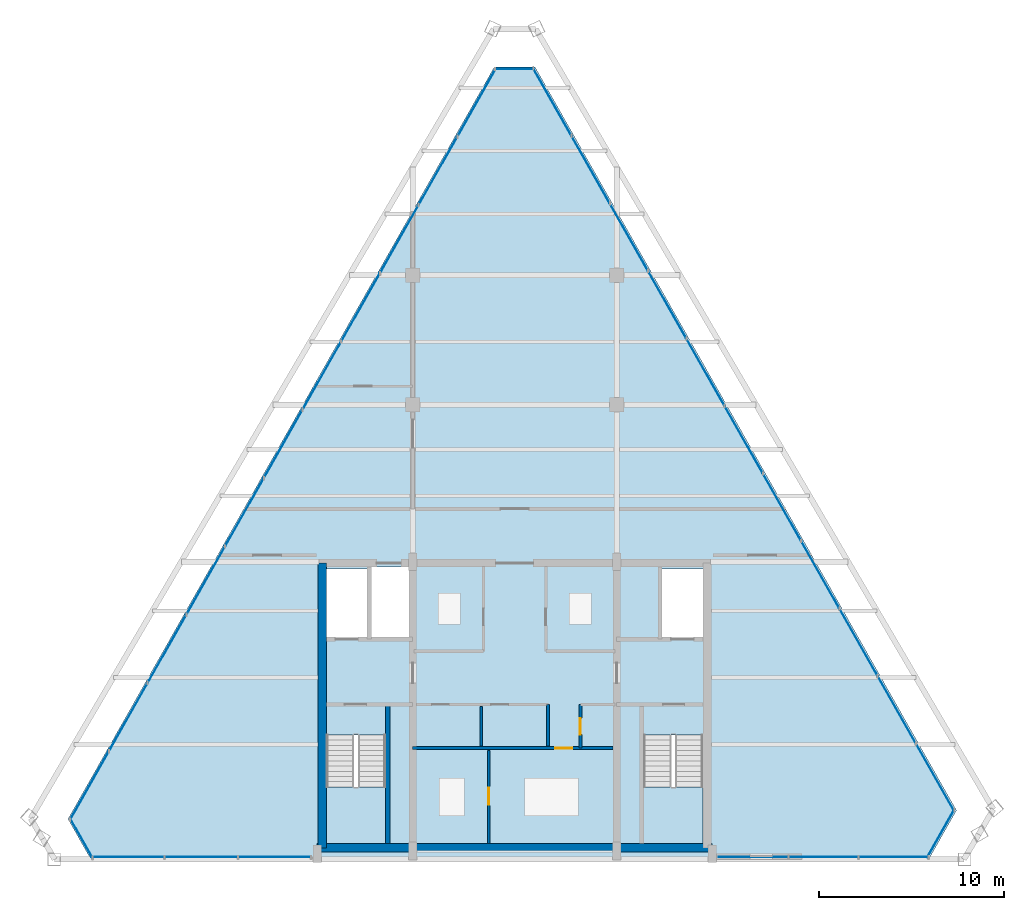
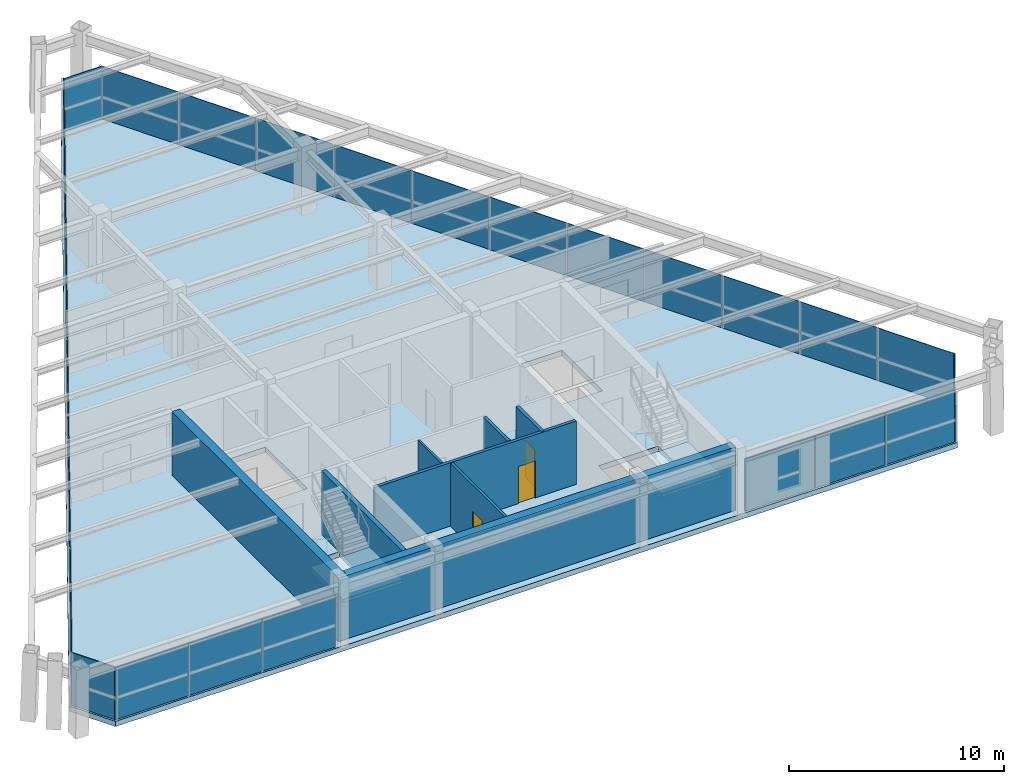
# One storey, part 9 of 12: 31 plates, 8 walls, 3 doors, 3 slabs, 3 openings, 9 elements without a shape of their own.
"""IFC4 building model written with IfcOpenShell, lengths in metres."""

from ifc_helpers import new_model, si_unit, direction, frame, frame_2d, origin, origin_2d, place, context, subcontext, project, spatial, polyline, rectangle, outline, extrude, source, transform, mapped, material, layer, layer_set, type_object, type_shapes, element, fill, aggregate, save


model = new_model("IFC4")

# Units and contexts
model_context = context("Model", 3, precision=1e-05, world=origin(), true_north=direction((0.0, 1.0)))
body_context = subcontext(model_context, "Body", "Model", "MODEL_VIEW")
ifc_project = project(units=[si_unit("LENGTHUNIT", "METRE"), si_unit("AREAUNIT", "SQUARE_METRE"), si_unit("VOLUMEUNIT", "CUBIC_METRE"), si_unit("PLANEANGLEUNIT", "RADIAN"), si_unit("MASSUNIT", "GRAM", prefix="KILO")], contexts=[model_context])

# Site, building, storey
site_placement = place(None, origin())
site = spatial("IfcSite", under=ifc_project, at=site_placement, CompositionType="ELEMENT")
building_placement = place(site_placement, origin())
building = spatial("IfcBuilding", under=site, at=building_placement, Name="Varnakhor Terracotta Tower", CompositionType="ELEMENT")
storey_placement = place(building_placement, frame((0.0, 0.0, 313.60009765625)))
storey = spatial("IfcBuildingStorey", under=building, at=storey_placement, Name="L82 Crown", CompositionType="ELEMENT", Elevation=313.60009765625)

# Stair, slab
ifc_material_1 = material(Name="Concrete C40/50", Category="concrete")
stair_type = type_object("IfcStairType", Name="STR-CORE-HOTEL-1500", PredefinedType="HALF_TURN_STAIR", material=ifc_material_1)
stair_1_placement = place(storey_placement, origin())
stair_1 = element("IfcStair", 1, at=stair_1_placement, inside=storey, type_object=stair_type, Name="L82 Crown Core Exit Stair ST-1", PredefinedType="HALF_TURN_STAIR")
ifc_layer_1 = layer(ifc_material_1, 0.179931640625, Name="Concrete C40/50")
ifc_layer_set_1 = layer_set([ifc_layer_1], Name="Concrete C40/50")
slab_type_1 = type_object("IfcSlabType", Name="SLB-LANDING-180", PredefinedType="LANDING", material=ifc_layer_set_1)
slab_1_placement = place(storey_placement, frame((0.0, 0.0, 1.75)))
slab_1 = element("IfcSlab", 2, at=slab_1_placement, type_object=slab_type_1, Name="ST-1 landing 1", PredefinedType="LANDING", context=body_context, shape_type="SweptSolid", body=[
    extrude(outline(polyline([(-10.14990234375, 3.909912109375), (-10.14990234375, 0.85009765625), (-6.949951171875, 0.85009765625), (-6.949951171875, 3.909912109375), (-10.14990234375, 3.909912109375)])), origin(), (0.0, 0.0, 1.0), 0.199951171875),
])
aggregate(stair_1, [slab_1])

stair_2_placement = place(storey_placement, origin())
stair_2 = element("IfcStair", 3, at=stair_2_placement, inside=storey, type_object=stair_type, Name="L82 Crown Core Exit Stair ST-2", PredefinedType="HALF_TURN_STAIR")
slab_2_placement = place(storey_placement, frame((0.0, 0.0, 1.75)))
slab_2 = element("IfcSlab", 4, at=slab_2_placement, type_object=slab_type_1, Name="ST-2 landing 1", PredefinedType="LANDING", context=body_context, shape_type="SweptSolid", body=[
    extrude(outline(polyline([(6.949951171875, 3.909912109375), (6.949951171875, 0.85009765625), (10.14990234375, 0.85009765625), (10.14990234375, 3.909912109375), (6.949951171875, 3.909912109375)])), origin(), (0.0, 0.0, 1.0), 0.199951171875),
])
aggregate(stair_2, [slab_2])

# Slab
ifc_layer_2 = layer(ifc_material_1, 0.300048828125, Name="Concrete C40/50")
ifc_layer_set_2 = layer_set([ifc_layer_2], Name="Concrete C40/50")
slab_type_2 = type_object("IfcSlabType", Name="SLB-PLANT-300", PredefinedType="FLOOR", material=ifc_layer_set_2)
slab_3_placement = place(storey_placement, frame((0.0, 0.0, -0.300048828125)))
element("IfcSlab", 5, at=slab_3_placement, inside=storey, type_object=slab_type_2, Name="L82 Crown Structural Floor Slab", PredefinedType="FLOOR", context=body_context, shape_type="SweptSolid", body=[
    extrude(outline(polyline([(-1.091552734375, 42.73046875), (1.091552734375, 42.73046875), (23.818115234375, 2.640625), (22.321044921875, 0.0), (-22.847900390625, 0.0), (-24.08154296875, 2.176025390625), (-1.091552734375, 42.73046875)]), holes=[polyline([(-6.949951171875, 6.695068359375), (-10.14990234375, 6.695068359375), (-10.14990234375, 0.85009765625), (-6.949951171875, 0.85009765625), (-6.949951171875, 6.695068359375)]), polyline([(10.14990234375, 6.695068359375), (6.949951171875, 6.695068359375), (6.949951171875, 0.85009765625), (10.14990234375, 0.85009765625), (10.14990234375, 6.695068359375)]), polyline([(-7.949951171875, 15.64990234375), (-10.14990234375, 15.64990234375), (-10.14990234375, 11.8798828125), (-7.949951171875, 11.8798828125), (-7.949951171875, 15.64990234375)]), polyline([(10.14990234375, 11.8798828125), (10.14990234375, 15.64990234375), (7.949951171875, 15.64990234375), (7.949951171875, 11.8798828125), (10.14990234375, 11.8798828125)]), polyline([(-5.699951171875, 11.8798828125), (-5.699951171875, 15.75), (-7.72998046875, 15.75), (-7.72998046875, 11.8798828125), (-5.699951171875, 11.8798828125)])]), origin(), (0.0, 0.0, 1.0), 0.300048828125),
])

# Curtain wall, plates
ifc_material_2 = material(Name="Anodised Aluminium Curtain Wall System", Category="aluminium")
curtain_wall_type = type_object("IfcCurtainWallType", Name="CW-SYS-CROWN", PredefinedType="NOTDEFINED", material=ifc_material_2)
curtain_wall_1_placement = place(storey_placement, origin())
curtain_wall_1 = element("IfcCurtainWall", 6, at=curtain_wall_1_placement, inside=storey, type_object=curtain_wall_type, Name="L82 Crown Facet Curtain Wall 1", PredefinedType="NOTDEFINED")
ifc_material_3 = material(Name="Solar-Control Low-E Insulated Glass Panel", Category="glass")
ifc_layer_3 = layer(ifc_material_3, 0.0400390625, Name="Solar-Control Low-E Insulated Glass Panel")
ifc_layer_set_3 = layer_set([ifc_layer_3], Name="Solar-Control Low-E Insulated Glass Panel")
plate_type = type_object("IfcPlateType", Name="CWP-06", PredefinedType="CURTAIN_PANEL", material=ifc_layer_set_3)
shared_shape_1 = source(origin(), body_context, "Body", "SweptSolid", [
    extrude(rectangle(XDim=4.1923828125, YDim=0.035888671875, at=origin_2d()), origin(), (0.0, 0.0, 1.0), 2.97998046875),
])
plate_1_placement = place(storey_placement, frame((-22.918701171875, 3.98388671875, 0.0), z_axis=(0.0, 0.0, 1.0), x_axis=(0.4931525347, 0.869942858767, 0.0)))
plate_1 = element("IfcPlate", 7, at=plate_1_placement, type_object=plate_type, Name="L82 Crown Facet Curtain Wall 1 Glazed Panel 1", PredefinedType="CURTAIN_PANEL", context=body_context, shape_type="MappedRepresentation", body=[
    mapped(shared_shape_1, transform((0.0, 0.0, 0.0), scale=1.0)),
])
plate_2_placement = place(storey_placement, frame((-18.744140625, 11.347900390625, 0.0), z_axis=(0.0, 0.0, 1.0), x_axis=(0.4931525347, 0.869942858767, 0.0)))
plate_2 = element("IfcPlate", 8, at=plate_2_placement, type_object=plate_type, Name="L82 Crown Facet Curtain Wall 1 Glazed Panel 3", PredefinedType="CURTAIN_PANEL", context=body_context, shape_type="MappedRepresentation", body=[
    mapped(shared_shape_1, transform((0.0, 0.0, 0.0), scale=1.0)),
])
plate_3_placement = place(storey_placement, frame((-16.65673828125, 15.030029296875, 0.0), z_axis=(0.0, 0.0, 1.0), x_axis=(0.4931525347, 0.869942858767, 0.0)))
plate_3 = element("IfcPlate", 9, at=plate_3_placement, type_object=plate_type, Name="L82 Crown Facet Curtain Wall 1 Glazed Panel 4", PredefinedType="CURTAIN_PANEL", context=body_context, shape_type="MappedRepresentation", body=[
    mapped(shared_shape_1, transform((0.0, 0.0, 0.0), scale=1.0)),
])
plate_4_placement = place(storey_placement, frame((-14.5693359375, 18.7119140625, 0.0), z_axis=(0.0, 0.0, 1.0), x_axis=(0.4931525347, 0.869942858767, 0.0)))
plate_4 = element("IfcPlate", 10, at=plate_4_placement, type_object=plate_type, Name="L82 Crown Facet Curtain Wall 1 Glazed Panel 5", PredefinedType="CURTAIN_PANEL", context=body_context, shape_type="MappedRepresentation", body=[
    mapped(shared_shape_1, transform((0.0, 0.0, 0.0), scale=1.0)),
])
plate_5_placement = place(storey_placement, frame((-12.482177734375, 22.39404296875, 0.0), z_axis=(0.0, 0.0, 1.0), x_axis=(0.4931525347, 0.869942858767, 0.0)))
plate_5 = element("IfcPlate", 11, at=plate_5_placement, type_object=plate_type, Name="L82 Crown Facet Curtain Wall 1 Glazed Panel 6", PredefinedType="CURTAIN_PANEL", context=body_context, shape_type="MappedRepresentation", body=[
    mapped(shared_shape_1, transform((0.0, 0.0, 0.0), scale=1.0)),
])
plate_6_placement = place(storey_placement, frame((-10.394775390625, 26.075927734375, 0.0), z_axis=(0.0, 0.0, 1.0), x_axis=(0.4931525347, 0.869942858767, 0.0)))
plate_6 = element("IfcPlate", 12, at=plate_6_placement, type_object=plate_type, Name="L82 Crown Facet Curtain Wall 1 Glazed Panel 7", PredefinedType="CURTAIN_PANEL", context=body_context, shape_type="MappedRepresentation", body=[
    mapped(shared_shape_1, transform((0.0, 0.0, 0.0), scale=1.0)),
])
plate_7_placement = place(storey_placement, frame((-6.22021484375, 33.440185546875, 0.0), z_axis=(0.0, 0.0, 1.0), x_axis=(0.4931525347, 0.869942858767, 0.0)))
plate_7 = element("IfcPlate", 13, at=plate_7_placement, type_object=plate_type, Name="L82 Crown Facet Curtain Wall 1 Glazed Panel 9", PredefinedType="CURTAIN_PANEL", context=body_context, shape_type="MappedRepresentation", body=[
    mapped(shared_shape_1, transform((0.0, 0.0, 0.0), scale=1.0)),
])
plate_8_placement = place(storey_placement, frame((-4.133056640625, 37.1220703125, 0.0), z_axis=(0.0, 0.0, 1.0), x_axis=(0.4931525347, 0.869942858767, 0.0)))
plate_8 = element("IfcPlate", 14, at=plate_8_placement, type_object=plate_type, Name="L82 Crown Facet Curtain Wall 1 Glazed Panel 10", PredefinedType="CURTAIN_PANEL", context=body_context, shape_type="MappedRepresentation", body=[
    mapped(shared_shape_1, transform((0.0, 0.0, 0.0), scale=1.0)),
])
plate_9_placement = place(storey_placement, frame((-2.045654296875, 40.80419921875, 0.0), z_axis=(0.0, 0.0, 1.0), x_axis=(0.4931525347, 0.869942858767, 0.0)))
plate_9 = element("IfcPlate", 15, at=plate_9_placement, type_object=plate_type, Name="L82 Crown Facet Curtain Wall 1 Glazed Panel 11", PredefinedType="CURTAIN_PANEL", context=body_context, shape_type="MappedRepresentation", body=[
    mapped(shared_shape_1, transform((0.0, 0.0, 0.0), scale=1.0)),
])
shared_shape_2 = source(origin(), body_context, "Body", "SweptSolid", [
    extrude(rectangle(XDim=4.192626953125, YDim=0.035888671875, at=origin_2d()), origin(), (0.0, 0.0, 1.0), 2.97998046875),
])
plate_10_placement = place(storey_placement, frame((-20.831298828125, 7.666015625, 0.0), z_axis=(0.0, 0.0, 1.0), x_axis=(0.4931525347, 0.869942858767, 0.0)))
plate_10 = element("IfcPlate", 16, at=plate_10_placement, type_object=plate_type, Name="L82 Crown Facet Curtain Wall 1 Glazed Panel 2", PredefinedType="CURTAIN_PANEL", context=body_context, shape_type="MappedRepresentation", body=[
    mapped(shared_shape_2, transform((0.0, 0.0, 0.0), scale=1.0)),
])
plate_11_placement = place(storey_placement, frame((-8.3076171875, 29.758056640625, 0.0), z_axis=(0.0, 0.0, 1.0), x_axis=(0.4931525347, 0.869942858767, 0.0)))
plate_11 = element("IfcPlate", 17, at=plate_11_placement, type_object=plate_type, Name="L82 Crown Facet Curtain Wall 1 Glazed Panel 8", PredefinedType="CURTAIN_PANEL", context=body_context, shape_type="MappedRepresentation", body=[
    mapped(shared_shape_2, transform((0.0, 0.0, 0.0), scale=1.0)),
])
aggregate(curtain_wall_1, [plate_1, plate_10, plate_2, plate_3, plate_4, plate_5, plate_6, plate_11, plate_7, plate_8, plate_9])

# Curtain wall, plate
curtain_wall_2_placement = place(storey_placement, origin())
curtain_wall_2 = element("IfcCurtainWall", 18, at=curtain_wall_2_placement, inside=storey, type_object=curtain_wall_type, Name="L82 Crown Facet Curtain Wall 2", PredefinedType="NOTDEFINED")
shared_shape_3 = source(origin(), body_context, "Body", "SweptSolid", [
    extrude(rectangle(XDim=2.083251953125, YDim=0.035888671875, at=origin_2d()), origin(), (0.0, 0.0, 1.0), 2.97998046875),
])
plate_12_placement = place(storey_placement, frame((0.0, 42.6103515625, 0.0), z_axis=(0.0, 0.0, 1.0), x_axis=(1.0, 0.0, 0.0)))
plate_12 = element("IfcPlate", 19, at=plate_12_placement, type_object=plate_type, Name="L82 Crown Facet Curtain Wall 2 Glazed Panel 1", PredefinedType="CURTAIN_PANEL", context=body_context, shape_type="MappedRepresentation", body=[
    mapped(shared_shape_3, transform((0.0, 0.0, 0.0), scale=1.0)),
])
aggregate(curtain_wall_2, [plate_12])

# Curtain wall, plates
curtain_wall_3_placement = place(storey_placement, origin())
curtain_wall_3 = element("IfcCurtainWall", 20, at=curtain_wall_3_placement, inside=storey, type_object=curtain_wall_type, Name="L82 Crown Facet Curtain Wall 3", PredefinedType="NOTDEFINED")
shared_shape_4 = source(origin(), body_context, "Body", "SweptSolid", [
    extrude(rectangle(XDim=4.14404296875, YDim=0.035888671875, at=origin_2d()), origin(), (0.0, 0.0, 1.0), 2.97998046875),
])
plate_13_placement = place(storey_placement, frame((2.03369140625, 40.8251953125, 0.0), z_axis=(0.0, 0.0, 1.0), x_axis=(0.493167717992, -0.869934251499, 0.0)))
plate_13 = element("IfcPlate", 21, at=plate_13_placement, type_object=plate_type, Name="L82 Crown Facet Curtain Wall 3 Glazed Panel 1", PredefinedType="CURTAIN_PANEL", context=body_context, shape_type="MappedRepresentation", body=[
    mapped(shared_shape_4, transform((0.0, 0.0, 0.0), scale=1.0)),
])
plate_14_placement = place(storey_placement, frame((6.160400390625, 33.545654296875, 0.0), z_axis=(0.0, 0.0, 1.0), x_axis=(0.493167717992, -0.869934251499, 0.0)))
plate_14 = element("IfcPlate", 22, at=plate_14_placement, type_object=plate_type, Name="L82 Crown Facet Curtain Wall 3 Glazed Panel 3", PredefinedType="CURTAIN_PANEL", context=body_context, shape_type="MappedRepresentation", body=[
    mapped(shared_shape_4, transform((0.0, 0.0, 0.0), scale=1.0)),
])
plate_15_placement = place(storey_placement, frame((14.413818359375, 18.986572265625, 0.0), z_axis=(0.0, 0.0, 1.0), x_axis=(0.493167717992, -0.869934251499, 0.0)))
plate_15 = element("IfcPlate", 23, at=plate_15_placement, type_object=plate_type, Name="L82 Crown Facet Curtain Wall 3 Glazed Panel 7", PredefinedType="CURTAIN_PANEL", context=body_context, shape_type="MappedRepresentation", body=[
    mapped(shared_shape_4, transform((0.0, 0.0, 0.0), scale=1.0)),
])
plate_16_placement = place(storey_placement, frame((20.60400390625, 8.0673828125, 0.0), z_axis=(0.0, 0.0, 1.0), x_axis=(0.493167717992, -0.869934251499, 0.0)))
plate_16 = element("IfcPlate", 24, at=plate_16_placement, type_object=plate_type, Name="L82 Crown Facet Curtain Wall 3 Glazed Panel 10", PredefinedType="CURTAIN_PANEL", context=body_context, shape_type="MappedRepresentation", body=[
    mapped(shared_shape_4, transform((0.0, 0.0, 0.0), scale=1.0)),
])
shared_shape_5 = source(origin(), body_context, "Body", "SweptSolid", [
    extrude(rectangle(XDim=4.143798828125, YDim=0.035888671875, at=origin_2d()), origin(), (0.0, 0.0, 1.0), 2.97998046875),
])
plate_17_placement = place(storey_placement, frame((4.09716796875, 37.185546875, 0.0), z_axis=(0.0, 0.0, 1.0), x_axis=(0.493167717992, -0.869934251499, 0.0)))
plate_17 = element("IfcPlate", 25, at=plate_17_placement, type_object=plate_type, Name="L82 Crown Facet Curtain Wall 3 Glazed Panel 2", PredefinedType="CURTAIN_PANEL", context=body_context, shape_type="MappedRepresentation", body=[
    mapped(shared_shape_5, transform((0.0, 0.0, 0.0), scale=1.0)),
])
plate_18_placement = place(storey_placement, frame((8.2236328125, 29.906005859375, 0.0), z_axis=(0.0, 0.0, 1.0), x_axis=(0.493167717992, -0.869934251499, 0.0)))
plate_18 = element("IfcPlate", 26, at=plate_18_placement, type_object=plate_type, Name="L82 Crown Facet Curtain Wall 3 Glazed Panel 4", PredefinedType="CURTAIN_PANEL", context=body_context, shape_type="MappedRepresentation", body=[
    mapped(shared_shape_5, transform((0.0, 0.0, 0.0), scale=1.0)),
])
plate_19_placement = place(storey_placement, frame((10.287109375, 26.26611328125, 0.0), z_axis=(0.0, 0.0, 1.0), x_axis=(0.493167717992, -0.869934251499, 0.0)))
plate_19 = element("IfcPlate", 27, at=plate_19_placement, type_object=plate_type, Name="L82 Crown Facet Curtain Wall 3 Glazed Panel 5", PredefinedType="CURTAIN_PANEL", context=body_context, shape_type="MappedRepresentation", body=[
    mapped(shared_shape_5, transform((0.0, 0.0, 0.0), scale=1.0)),
])
plate_20_placement = place(storey_placement, frame((12.350341796875, 22.62646484375, 0.0), z_axis=(0.0, 0.0, 1.0), x_axis=(0.493167717992, -0.869934251499, 0.0)))
plate_20 = element("IfcPlate", 28, at=plate_20_placement, type_object=plate_type, Name="L82 Crown Facet Curtain Wall 3 Glazed Panel 6", PredefinedType="CURTAIN_PANEL", context=body_context, shape_type="MappedRepresentation", body=[
    mapped(shared_shape_5, transform((0.0, 0.0, 0.0), scale=1.0)),
])
plate_21_placement = place(storey_placement, frame((16.477294921875, 15.3466796875, 0.0), z_axis=(0.0, 0.0, 1.0), x_axis=(0.493167717992, -0.869934251499, 0.0)))
plate_21 = element("IfcPlate", 29, at=plate_21_placement, type_object=plate_type, Name="L82 Crown Facet Curtain Wall 3 Glazed Panel 8", PredefinedType="CURTAIN_PANEL", context=body_context, shape_type="MappedRepresentation", body=[
    mapped(shared_shape_5, transform((0.0, 0.0, 0.0), scale=1.0)),
])
plate_22_placement = place(storey_placement, frame((18.54052734375, 11.70703125, 0.0), z_axis=(0.0, 0.0, 1.0), x_axis=(0.493167717992, -0.869934251499, 0.0)))
plate_22 = element("IfcPlate", 30, at=plate_22_placement, type_object=plate_type, Name="L82 Crown Facet Curtain Wall 3 Glazed Panel 9", PredefinedType="CURTAIN_PANEL", context=body_context, shape_type="MappedRepresentation", body=[
    mapped(shared_shape_5, transform((0.0, 0.0, 0.0), scale=1.0)),
])
plate_23_placement = place(storey_placement, frame((22.667236328125, 4.427490234375, 0.0), z_axis=(0.0, 0.0, 1.0), x_axis=(0.493167717992, -0.869934251499, 0.0)))
plate_23 = element("IfcPlate", 31, at=plate_23_placement, type_object=plate_type, Name="L82 Crown Facet Curtain Wall 3 Glazed Panel 11", PredefinedType="CURTAIN_PANEL", context=body_context, shape_type="MappedRepresentation", body=[
    mapped(shared_shape_5, transform((0.0, 0.0, 0.0), scale=1.0)),
])
aggregate(curtain_wall_3, [plate_13, plate_17, plate_14, plate_18, plate_19, plate_20, plate_15, plate_21, plate_22, plate_16, plate_23])

# Curtain wall, plate
curtain_wall_4_placement = place(storey_placement, origin())
curtain_wall_4 = element("IfcCurtainWall", 32, at=curtain_wall_4_placement, inside=storey, type_object=curtain_wall_type, Name="L82 Crown Facet Curtain Wall 4", PredefinedType="NOTDEFINED")
shared_shape_6 = source(origin(), body_context, "Body", "SweptSolid", [
    extrude(rectangle(XDim=2.935546875, YDim=0.035888671875, at=origin_2d()), origin(), (0.0, 0.0, 1.0), 2.97998046875),
])
plate_24_placement = place(storey_placement, frame((22.965087890625, 1.379638671875, 0.0), z_axis=(0.0, 0.0, 1.0), x_axis=(-0.493167717992, -0.869934251499, 0.0)))
plate_24 = element("IfcPlate", 33, at=plate_24_placement, type_object=plate_type, Name="L82 Crown Facet Curtain Wall 4 Glazed Panel 1", PredefinedType="CURTAIN_PANEL", context=body_context, shape_type="MappedRepresentation", body=[
    mapped(shared_shape_6, transform((0.0, 0.0, 0.0), scale=1.0)),
])
aggregate(curtain_wall_4, [plate_24])

# Curtain wall, plates
curtain_wall_5_placement = place(storey_placement, origin())
curtain_wall_5 = element("IfcCurtainWall", 34, at=curtain_wall_5_placement, inside=storey, type_object=curtain_wall_type, Name="L82 Crown South Wing Curtain Wall SSE", PredefinedType="NOTDEFINED")
shared_shape_7 = source(origin(), body_context, "Body", "SweptSolid", [
    extrude(rectangle(XDim=3.740478515625, YDim=0.035888671875, at=origin_2d()), origin(), (0.0, 0.0, 1.0), 2.97998046875),
])
plate_25_placement = place(storey_placement, frame((20.4208984375, 0.1201171875, 0.0), z_axis=(0.0, 0.0, 1.0), x_axis=(-1.0, 0.0, 0.0)))
plate_25 = element("IfcPlate", 35, at=plate_25_placement, type_object=plate_type, Name="L82 Crown South Wing Curtain Wall SSE Glazed Panel 1", PredefinedType="CURTAIN_PANEL", context=body_context, shape_type="MappedRepresentation", body=[
    mapped(shared_shape_7, transform((0.0, 0.0, 0.0), scale=1.0)),
])
plate_26_placement = place(storey_placement, frame((12.860107421875, 0.1201171875, 0.0), z_axis=(0.0, 0.0, 1.0), x_axis=(-1.0, 0.0, 0.0)))
plate_26 = element("IfcPlate", 36, at=plate_26_placement, type_object=plate_type, Name="L82 Crown South Wing Curtain Wall SSE Glazed Panel 3", PredefinedType="CURTAIN_PANEL", context=body_context, shape_type="MappedRepresentation", body=[
    mapped(shared_shape_7, transform((0.0, 0.0, 0.0), scale=1.0)),
])
shared_shape_8 = source(origin(), body_context, "Body", "SweptSolid", [
    extrude(rectangle(XDim=3.740234375, YDim=0.035888671875, at=origin_2d()), origin(), (0.0, 0.0, 1.0), 2.97998046875),
])
plate_27_placement = place(storey_placement, frame((16.640625, 0.1201171875, 0.0), z_axis=(0.0, 0.0, 1.0), x_axis=(-1.0, 0.0, 0.0)))
plate_27 = element("IfcPlate", 37, at=plate_27_placement, type_object=plate_type, Name="L82 Crown South Wing Curtain Wall SSE Glazed Panel 2", PredefinedType="CURTAIN_PANEL", context=body_context, shape_type="MappedRepresentation", body=[
    mapped(shared_shape_8, transform((0.0, 0.0, 0.0), scale=1.0)),
])
aggregate(curtain_wall_5, [plate_25, plate_27, plate_26])

curtain_wall_6_placement = place(storey_placement, origin())
curtain_wall_6 = element("IfcCurtainWall", 38, at=curtain_wall_6_placement, inside=storey, type_object=curtain_wall_type, Name="L82 Crown South Wing Curtain Wall SSW", PredefinedType="NOTDEFINED")
shared_shape_9 = source(origin(), body_context, "Body", "SweptSolid", [
    extrude(rectangle(XDim=3.916015625, YDim=0.035888671875, at=origin_2d()), origin(), (0.0, 0.0, 1.0), 2.97998046875),
])
plate_28_placement = place(storey_placement, frame((-12.947998046875, 0.1201171875, 0.0), z_axis=(0.0, 0.0, 1.0), x_axis=(-1.0, 0.0, 0.0)))
plate_28 = element("IfcPlate", 39, at=plate_28_placement, type_object=plate_type, Name="L82 Crown South Wing Curtain Wall SSW Glazed Panel 1", PredefinedType="CURTAIN_PANEL", context=body_context, shape_type="MappedRepresentation", body=[
    mapped(shared_shape_9, transform((0.0, 0.0, 0.0), scale=1.0)),
])
plate_29_placement = place(storey_placement, frame((-16.904052734375, 0.1201171875, 0.0), z_axis=(0.0, 0.0, 1.0), x_axis=(-1.0, 0.0, 0.0)))
plate_29 = element("IfcPlate", 40, at=plate_29_placement, type_object=plate_type, Name="L82 Crown South Wing Curtain Wall SSW Glazed Panel 2", PredefinedType="CURTAIN_PANEL", context=body_context, shape_type="MappedRepresentation", body=[
    mapped(shared_shape_9, transform((0.0, 0.0, 0.0), scale=1.0)),
])
plate_30_placement = place(storey_placement, frame((-20.85986328125, 0.1201171875, 0.0), z_axis=(0.0, 0.0, 1.0), x_axis=(-1.0, 0.0, 0.0)))
plate_30 = element("IfcPlate", 41, at=plate_30_placement, type_object=plate_type, Name="L82 Crown South Wing Curtain Wall SSW Glazed Panel 3", PredefinedType="CURTAIN_PANEL", context=body_context, shape_type="MappedRepresentation", body=[
    mapped(shared_shape_9, transform((0.0, 0.0, 0.0), scale=1.0)),
])
aggregate(curtain_wall_6, [plate_28, plate_29, plate_30])

# Curtain wall, plate
curtain_wall_7_placement = place(storey_placement, origin())
curtain_wall_7 = element("IfcCurtainWall", 42, at=curtain_wall_7_placement, inside=storey, type_object=curtain_wall_type, Name="L82 Crown Facet Curtain Wall 6", PredefinedType="NOTDEFINED")
shared_shape_10 = source(origin(), body_context, "Body", "SweptSolid", [
    extrude(rectangle(XDim=2.4013671875, YDim=0.035888671875, at=origin_2d()), origin(), (0.0, 0.0, 1.0), 2.97998046875),
])
plate_31_placement = place(storey_placement, frame((-23.3603515625, 1.147216796875, 0.0), z_axis=(0.0, 0.0, 1.0), x_axis=(-0.493167717992, 0.869934251499, 0.0)))
plate_31 = element("IfcPlate", 43, at=plate_31_placement, type_object=plate_type, Name="L82 Crown Facet Curtain Wall 6 Glazed Panel 1", PredefinedType="CURTAIN_PANEL", context=body_context, shape_type="MappedRepresentation", body=[
    mapped(shared_shape_10, transform((0.0, 0.0, 0.0), scale=1.0)),
])
aggregate(curtain_wall_7, [plate_31])

# Walls
ifc_material_4 = material(Name="Concrete C50/60", Category="concrete")
ifc_layer_4 = layer(ifc_material_4, 0.449951171875, Name="Concrete C50/60")
ifc_layer_set_4 = layer_set([ifc_layer_4], Name="Concrete C50/60")
wall_type_1 = type_object("IfcWallType", Name="WAL-CORE-450", PredefinedType="SHEAR", material=ifc_layer_set_4)
wall_1_placement = place(storey_placement, frame((-10.64990234375, 0.625, 0.0), z_axis=(0.0, 0.0, 1.0), x_axis=(1.0, 0.0, 0.0)))
element("IfcWall", 44, at=wall_1_placement, inside=storey, type_object=wall_type_1, Name="L82 Crown South Core Shear Wall", PredefinedType="SHEAR", context=body_context, shape_type="SweptSolid", body=[
    extrude(rectangle(XDim=21.2998046875, YDim=0.449951171875, at=frame_2d((10.64990234375, 0.0))), origin(), (0.0, 0.0, 1.0), 3.599853515625),
])
wall_2_placement = place(storey_placement, frame((-10.375, 0.625, 0.0), z_axis=(0.0, 0.0, 1.0), x_axis=(0.0, 1.0, 0.0)))
element("IfcWall", 45, at=wall_2_placement, inside=storey, type_object=wall_type_1, Name="L82 Crown West Core Shear Wall", PredefinedType="SHEAR", context=body_context, shape_type="SweptSolid", body=[
    extrude(rectangle(XDim=15.35009765625, YDim=0.449951171875, at=frame_2d((7.675048828125, 0.0))), origin(), (0.0, 0.0, 1.0), 3.599853515625),
])
ifc_layer_5 = layer(ifc_material_1, 0.25, Name="Concrete C40/50")
ifc_layer_set_5 = layer_set([ifc_layer_5], Name="Concrete C40/50")
wall_type_2 = type_object("IfcWallType", Name="WAL-SHAFT-250", PredefinedType="SOLIDWALL", material=ifc_layer_set_5)
wall_3_placement = place(storey_placement, frame((-6.85009765625, 0.85009765625, 0.0), z_axis=(0.0, 0.0, 1.0), x_axis=(0.0, 1.0, 0.0)))
element("IfcWall", 46, at=wall_3_placement, inside=storey, type_object=wall_type_2, Name="L82 Crown Stair ST-1 Bearing Shaft Wall", PredefinedType="SOLIDWALL", context=body_context, shape_type="SweptSolid", body=[
    extrude(rectangle(XDim=7.5, YDim=0.25, at=frame_2d((3.75, 0.0))), origin(), (0.0, 0.0, 1.0), 3.599853515625),
])
ifc_material_5 = material(Name="Acoustic Fire-Rated Partition", Category="gypsum")
ifc_layer_6 = layer(ifc_material_5, 0.114990234375, Name="Acoustic Fire-Rated Partition")
ifc_layer_set_6 = layer_set([ifc_layer_6], Name="Acoustic Fire-Rated Partition")
wall_type_3 = type_object("IfcWallType", Name="WAL-TENANCY-115", PredefinedType="PARTITIONING", material=ifc_layer_set_6)
wall_4_placement = place(storey_placement, frame((-1.800048828125, 6.10009765625, 0.0), z_axis=(0.0, 0.0, 1.0), x_axis=(0.0, 1.0, 0.0)))
element("IfcWall", 47, at=wall_4_placement, inside=storey, type_object=wall_type_3, Name="L82 Crown Reclaimed Mid-Core Split Wall", PredefinedType="PARTITIONING", context=body_context, shape_type="SweptSolid", body=[
    extrude(rectangle(XDim=2.14990234375, YDim=0.114990234375, at=frame_2d((1.074951171875, 0.0))), origin(), (0.0, 0.0, 1.0), 3.591796875),
])

# Wall, opening, door
ifc_layer_7 = layer(ifc_material_5, 0.139892578125, Name="Acoustic Fire-Rated Partition")
ifc_layer_set_7 = layer_set([ifc_layer_7], Name="Acoustic Fire-Rated Partition")
wall_type_4 = type_object("IfcWallType", Name="WAL-TENANCY-140", PredefinedType="PARTITIONING", material=ifc_layer_set_7)
wall_5_placement = place(storey_placement, frame((-1.39990234375, 0.85009765625, 0.0), z_axis=(0.0, 0.0, 1.0), x_axis=(0.0, 1.0, 0.0)))
wall_5 = element("IfcWall", 48, at=wall_5_placement, inside=storey, type_object=wall_type_4, Name="L82 Crown Reclaimed Core Bay Split Wall", PredefinedType="PARTITIONING", context=body_context, shape_type="SweptSolid", body=[
    extrude(rectangle(XDim=5.02978515625, YDim=0.139892578125, at=frame_2d((2.514892578125, 0.0))), origin(), (0.0, 0.0, 1.0), 3.591796875),
])
opening_1_placement = place(wall_5_placement, frame((2.10009765625, 0.0, 0.0)))
opening_1 = element("IfcOpeningElement", 49, at=opening_1_placement, cuts=wall_5, Name="Opening DR-67", PredefinedType="OPENING", context=body_context, shape_type="SweptSolid", body=[
    extrude(rectangle(XDim=0.89990234375, YDim=2.10009765625, at=frame_2d((0.449951171875, 1.050048828125))), frame((0.0, 0.080078125, 0.0), z_axis=(0.0, -1.0, 0.0), x_axis=(1.0, 0.0, 0.0)), (0.0, 0.0, 1.0), 0.159912109375),
])
ifc_material_6 = material(Name="Steel Service Riser Fire Door", Category="steel")
door_type = type_object("IfcDoorType", Name="DR-RISER-900X2100", OperationType="NOTDEFINED", PredefinedType="DOOR", material=ifc_material_6)
shared_shape_11 = source(origin(), body_context, "Body", "SweptSolid", [
    extrude(rectangle(XDim=0.89990234375, YDim=2.10009765625, at=frame_2d((0.449951171875, 1.050048828125))), frame((0.0, 0.02490234375, 0.0), z_axis=(0.0, -1.0, 0.0), x_axis=(1.0, 0.0, 0.0)), (0.0, 0.0, 1.0), 0.050048828125),
])
type_shapes(door_type, [shared_shape_11])
door_1_placement = place(opening_1_placement, origin())
door_1 = element("IfcDoor", 50, at=door_1_placement, inside=storey, type_object=door_type, Name="L82 Crown Core Inner Service Door", OperationType="SINGLE_SWING_RIGHT", OverallHeight=2.10009765625, OverallWidth=0.89990234375, PredefinedType="DOOR", context=body_context, shape_type="MappedRepresentation", body=[
    mapped(shared_shape_11, transform((0.0, 0.0, 0.0), scale=1.0)),
])
fill(opening_1, door_1)

ifc_layer_8 = layer(ifc_material_5, 0.1650390625, Name="Acoustic Fire-Rated Partition")
ifc_layer_set_8 = layer_set([ifc_layer_8], Name="Acoustic Fire-Rated Partition")
wall_type_5 = type_object("IfcWallType", Name="WAL-TENANCY-165", PredefinedType="PARTITIONING", material=ifc_layer_set_8)
wall_6_placement = place(storey_placement, frame((-5.5, 6.0, 0.0), z_axis=(0.0, 0.0, 1.0), x_axis=(1.0, 0.0, 0.0)))
wall_6 = element("IfcWall", 51, at=wall_6_placement, inside=storey, type_object=wall_type_5, Name="L82 Crown Reclaimed Core Bay North Rated Wall", PredefinedType="PARTITIONING", context=body_context, shape_type="SweptSolid", body=[
    extrude(rectangle(XDim=10.800048828125, YDim=0.1650390625, at=frame_2d((5.39990234375, 0.0))), origin(), (0.0, 0.0, 1.0), 3.591796875),
])
opening_2_placement = place(wall_6_placement, frame((7.699951171875, 0.0, 0.0)))
opening_2 = element("IfcOpeningElement", 52, at=opening_2_placement, cuts=wall_6, Name="Opening DR-67", PredefinedType="OPENING", context=body_context, shape_type="SweptSolid", body=[
    extrude(rectangle(XDim=0.89990234375, YDim=2.10009765625, at=frame_2d((0.449951171875, 1.050048828125))), frame((0.0, 0.092529296875, 0.0), z_axis=(0.0, -1.0, 0.0), x_axis=(1.0, 0.0, 0.0)), (0.0, 0.0, 1.0), 0.18505859375),
])
door_2_placement = place(opening_2_placement, origin())
door_2 = element("IfcDoor", 53, at=door_2_placement, inside=storey, type_object=door_type, Name="L82 Crown Core Reclaimed Suite Door", OperationType="SINGLE_SWING_LEFT", OverallHeight=2.10009765625, OverallWidth=0.89990234375, PredefinedType="DOOR", context=body_context, shape_type="MappedRepresentation", body=[
    mapped(shared_shape_11, transform((0.0, 0.0, 0.0), scale=1.0)),
])
fill(opening_2, door_2)

wall_7_placement = place(storey_placement, frame((3.5400390625, 6.0, 0.0), z_axis=(0.0, 0.0, 1.0), x_axis=(0.0, 1.0, 0.0)))
wall_7 = element("IfcWall", 54, at=wall_7_placement, inside=storey, type_object=wall_type_5, Name="L82 Crown Accessible WC Rated Wall", PredefinedType="PARTITIONING", context=body_context, shape_type="SweptSolid", body=[
    extrude(rectangle(XDim=2.340087890625, YDim=0.1650390625, at=frame_2d((1.169921875, 0.0))), origin(), (0.0, 0.0, 1.0), 3.591796875),
])
opening_3_placement = place(wall_7_placement, frame((0.719970703125, 0.0, 0.0)))
opening_3 = element("IfcOpeningElement", 55, at=opening_3_placement, cuts=wall_7, Name="Opening DR-67", PredefinedType="OPENING", context=body_context, shape_type="SweptSolid", body=[
    extrude(rectangle(XDim=0.89990234375, YDim=2.10009765625, at=frame_2d((0.449951171875, 1.050048828125))), frame((0.0, 0.092529296875, 0.0), z_axis=(0.0, -1.0, 0.0), x_axis=(1.0, 0.0, 0.0)), (0.0, 0.0, 1.0), 0.18505859375),
])
door_3_placement = place(opening_3_placement, origin())
door_3 = element("IfcDoor", 56, at=door_3_placement, inside=storey, type_object=door_type, Name="L82 Crown Accessible WC Door", OperationType="SINGLE_SWING_LEFT", OverallHeight=2.10009765625, OverallWidth=0.89990234375, PredefinedType="DOOR", context=body_context, shape_type="MappedRepresentation", body=[
    mapped(shared_shape_11, transform((0.0, 0.0, 0.0), scale=1.0)),
])
fill(opening_3, door_3)

# Wall
wall_8_placement = place(storey_placement, frame((1.800048828125, 6.10009765625, 0.0), z_axis=(0.0, 0.0, 1.0), x_axis=(0.0, 1.0, 0.0)))
element("IfcWall", 57, at=wall_8_placement, inside=storey, type_object=wall_type_5, Name="L82 Crown Reclaimed Mid-Core East Wall", PredefinedType="PARTITIONING", context=body_context, shape_type="SweptSolid", body=[
    extrude(rectangle(XDim=2.25, YDim=0.1650390625, at=frame_2d((1.125, 0.0))), origin(), (0.0, 0.0, 1.0), 3.591796875),
])

save(model, "model.ifc")
